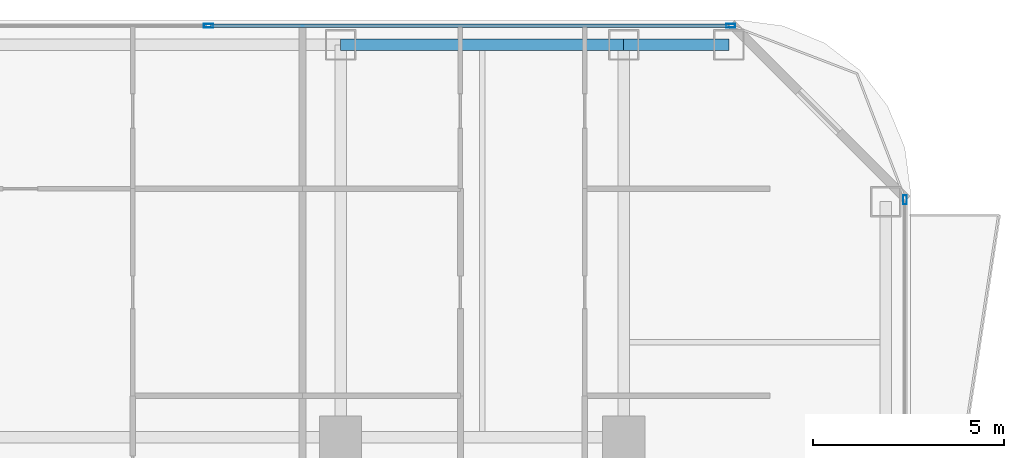
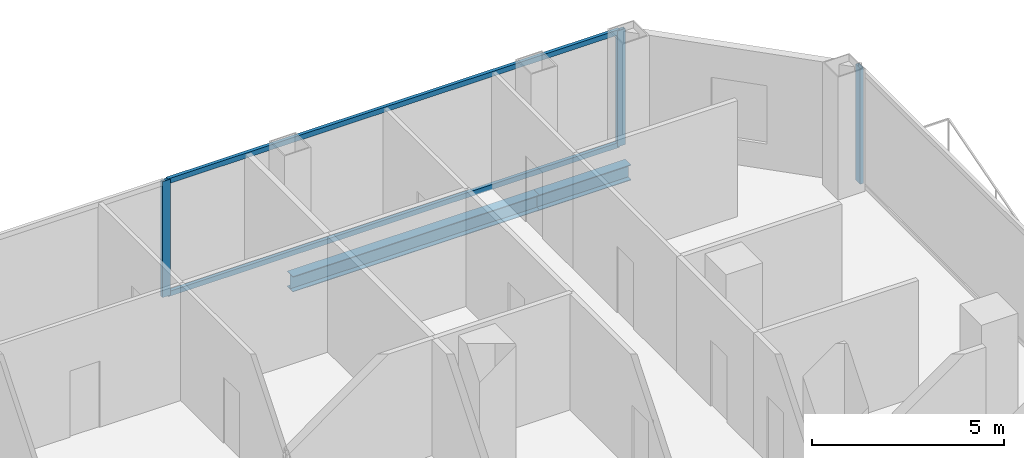
# One storey, part 17 of 27: 5 members, 2 beams, 2 elements without a shape of their own.
"""IFC4 building model written with IfcOpenShell, lengths in metres."""

from ifc_helpers import new_model, si_unit, direction, frame, origin, origin_2d, place, context, subcontext, project, spatial, hollow_rectangle, i_section, extrude, material, layer, layer_set, material_profile, profile_set, type_object, element, aggregate, save


model = new_model("IFC4")

# Units and contexts
model_context = context("Model", 3, precision=1e-05, world=origin(), true_north=direction((0.0, 1.0)))
body_context = subcontext(model_context, "Body", "Model", "MODEL_VIEW")
ifc_project = project(units=[si_unit("LENGTHUNIT", "METRE"), si_unit("AREAUNIT", "SQUARE_METRE"), si_unit("VOLUMEUNIT", "CUBIC_METRE"), si_unit("PLANEANGLEUNIT", "RADIAN"), si_unit("MASSUNIT", "GRAM", prefix="KILO")], contexts=[model_context])

# Site, building, storey
site_placement = place(None, origin())
site = spatial("IfcSite", under=ifc_project, at=site_placement, CompositionType="ELEMENT")
building_placement = place(site_placement, origin())
building = spatial("IfcBuilding", under=site, at=building_placement, Name="Khorvyn Point Tower", CompositionType="ELEMENT")
storey_placement = place(building_placement, frame((0.0, 0.0, 96.89990234375)))
storey = spatial("IfcBuildingStorey", under=building, at=storey_placement, Name="L24", CompositionType="ELEMENT", Elevation=96.89990234375)

# Curtain wall, members
ifc_material_1 = material(Name="Anodised aluminium 6063-T6 and laminated Low-E glass", Category="aluminium")
ifc_layer = layer(ifc_material_1, 0.18994140625)
ifc_layer_set = layer_set([ifc_layer], Name="Stick-Built Finned Residential Curtain Wall CW-SYS-02")
curtain_wall_type = type_object("IfcCurtainWallType", Name="Stick-Built Finned Residential Curtain Wall CW-SYS-02", PredefinedType="NOTDEFINED", material=ifc_layer_set)
curtain_wall_1_placement = place(storey_placement, origin())
curtain_wall_1 = element("IfcCurtainWall", 1, at=curtain_wall_1_placement, inside=storey, type_object=curtain_wall_type, Name="Curtain Wall", PredefinedType="NOTDEFINED")
ifc_material_2 = material(Name="Anodised aluminium 6063-T6", Category="aluminium")
ifc_material_profile_1 = material_profile(ifc_material_2, hollow_rectangle(XDim=0.10009765625, YDim=0.239990234375, WallThickness=0.0048828125, at=origin_2d()))
ifc_profile_set_1 = profile_set([ifc_material_profile_1], Name="Anodised aluminium 6063-T6 ALU-MUL-100x240")
member_type_1 = type_object("IfcMemberType", Name="Anodised Aluminium 6063-T6 Mullion ALU-MUL-100x240", PredefinedType="MULLION", material=ifc_profile_set_1)
member_1_placement = place(storey_placement, frame((3.949951171875, 30.85009765625, 0.0), z_axis=(0.0, 0.0, 1.0), x_axis=(0.0, 1.0, 0.0)))
member_1 = element("IfcMember", 2, at=member_1_placement, type_object=member_type_1, Name="Transom", PredefinedType="MULLION", context=body_context, shape_type="SweptSolid", body=[
    extrude(hollow_rectangle(XDim=0.10009765625, YDim=0.239990234375, WallThickness=0.0048828125, at=origin_2d()), origin(), (0.0, 0.0, 1.0), 3.68017578125),
])
member_2_placement = place(storey_placement, frame((17.60009765625, 30.85009765625, 0.0), z_axis=(0.0, 0.0, 1.0), x_axis=(0.0, 1.0, 0.0)))
member_2 = element("IfcMember", 3, at=member_2_placement, type_object=member_type_1, Name="Transom", PredefinedType="MULLION", context=body_context, shape_type="SweptSolid", body=[
    extrude(hollow_rectangle(XDim=0.10009765625, YDim=0.239990234375, WallThickness=0.0048828125, at=origin_2d()), origin(), (0.0, 0.0, 1.0), 3.68017578125),
])

# Curtain wall, member
curtain_wall_2_placement = place(storey_placement, origin())
curtain_wall_2 = element("IfcCurtainWall", 4, at=curtain_wall_2_placement, inside=storey, type_object=curtain_wall_type, Name="Curtain Wall", PredefinedType="NOTDEFINED")
member_3_placement = place(storey_placement, frame((22.14990234375, 26.300048828125, 0.0), z_axis=(0.0, 0.0, 1.0), x_axis=(1.0, 0.0, 0.0)))
member_3 = element("IfcMember", 5, at=member_3_placement, type_object=member_type_1, Name="Transom", PredefinedType="MULLION", context=body_context, shape_type="SweptSolid", body=[
    extrude(hollow_rectangle(XDim=0.10009765625, YDim=0.239990234375, WallThickness=0.0048828125, at=origin_2d()), origin(), (0.0, 0.0, 1.0), 3.68017578125),
])
aggregate(curtain_wall_2, [member_3])

# Member
ifc_material_profile_2 = material_profile(ifc_material_2, hollow_rectangle(XDim=0.10009765625, YDim=0.159912109375, WallThickness=0.00439453125, at=origin_2d()))
ifc_profile_set_2 = profile_set([ifc_material_profile_2], Name="Anodised aluminium 6063-T6 ALU-TRN-100x160")
member_type_2 = type_object("IfcMemberType", Name="Anodised Aluminium 6063-T6 Transom ALU-TRN-100x160", PredefinedType="USERDEFINED", material=ifc_profile_set_2)
member_4_placement = place(storey_placement, frame((4.0, 30.85009765625, 0.050048828125), z_axis=(1.0, 0.0, 0.0), x_axis=(0.0, 1.0, 0.0)))
member_4 = element("IfcMember", 6, at=member_4_placement, type_object=member_type_2, Name="Transom", ObjectType="TRANSOM", PredefinedType="USERDEFINED", context=body_context, shape_type="SweptSolid", body=[
    extrude(hollow_rectangle(XDim=0.10009765625, YDim=0.159912109375, WallThickness=0.00439453125, at=origin_2d()), origin(), (0.0, 0.0, 1.0), 13.550048828125),
])

member_5_placement = place(storey_placement, frame((4.0, 30.85009765625, 3.630126953125), z_axis=(1.0, 0.0, 0.0), x_axis=(0.0, 1.0, 0.0)))
member_5 = element("IfcMember", 7, at=member_5_placement, type_object=member_type_2, Name="Transom", ObjectType="TRANSOM", PredefinedType="USERDEFINED", context=body_context, shape_type="SweptSolid", body=[
    extrude(hollow_rectangle(XDim=0.10009765625, YDim=0.159912109375, WallThickness=0.00439453125, at=origin_2d()), origin(), (0.0, 0.0, 1.0), 13.550048828125),
])

aggregate(curtain_wall_1, [member_1, member_2, member_4, member_5])

# Beams
ifc_material_3 = material(Name="Steel S355", Category="steel")
ifc_material_profile_3 = material_profile(ifc_material_3, i_section(OverallWidth=0.300048828125, OverallDepth=0.488037109375, WebThickness=0.010986328125, FlangeThickness=0.01806640625, at=origin_2d()))
ifc_profile_set_3 = profile_set([ifc_material_profile_3], Name="Steel S355 H488x300x11x18")
beam_type = type_object("IfcBeamType", Name="Steel S355 Spandrel H488x300x11x18", PredefinedType="SPANDREL", material=ifc_profile_set_3)
beam_1_placement = place(storey_placement, frame((7.39990234375, 30.35009765625, -0.4638671875), z_axis=(1.0, 0.0, 0.0), x_axis=(0.0, 1.0, 0.0)))
element("IfcBeam", 8, at=beam_1_placement, inside=storey, type_object=beam_type, Name="Beam", PredefinedType="SPANDREL", context=body_context, shape_type="SweptSolid", body=[
    extrude(i_section(OverallWidth=0.300048828125, OverallDepth=0.488037109375, WebThickness=0.010986328125, FlangeThickness=0.01806640625, at=origin_2d()), origin(), (0.0, 0.0, 1.0), 7.400146484375),
])
beam_2_placement = place(storey_placement, frame((14.800048828125, 30.35009765625, -0.4638671875), z_axis=(1.0, 0.0, 0.0), x_axis=(0.0, 1.0, 0.0)))
element("IfcBeam", 9, at=beam_2_placement, inside=storey, type_object=beam_type, Name="Beam", PredefinedType="SPANDREL", context=body_context, shape_type="SweptSolid", body=[
    extrude(i_section(OverallWidth=0.300048828125, OverallDepth=0.488037109375, WebThickness=0.010986328125, FlangeThickness=0.01806640625, at=origin_2d()), origin(), (0.0, 0.0, 1.0), 2.75),
])

save(model, "model.ifc")
